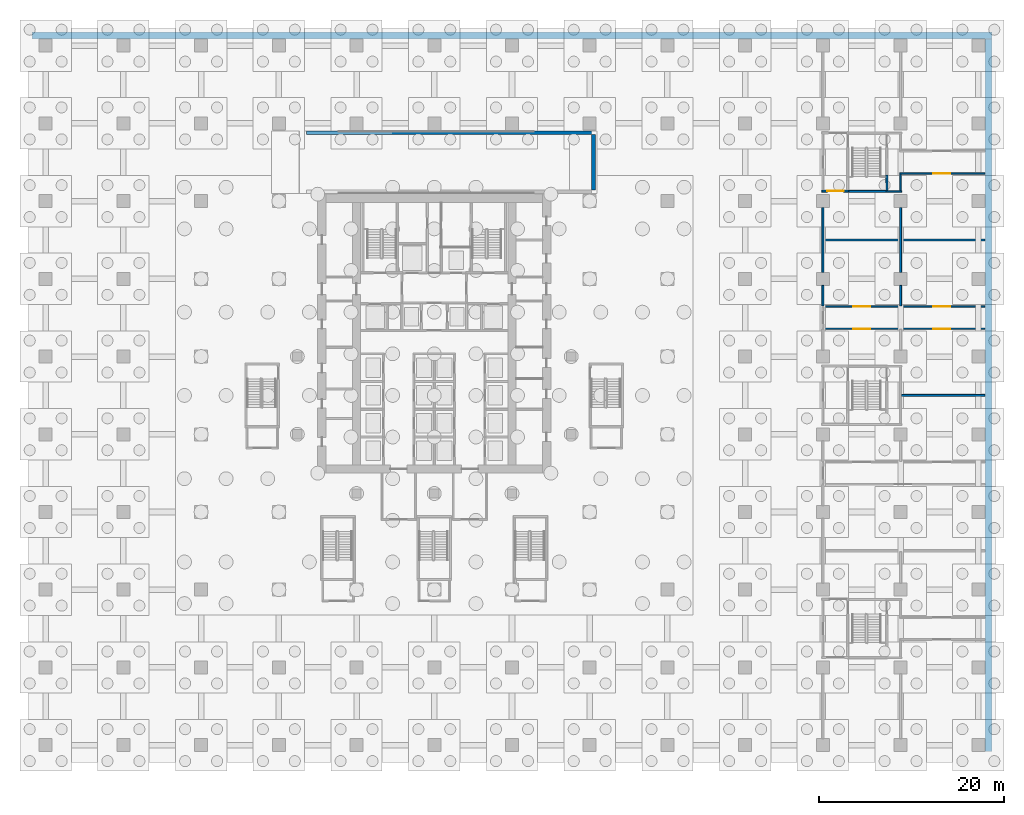
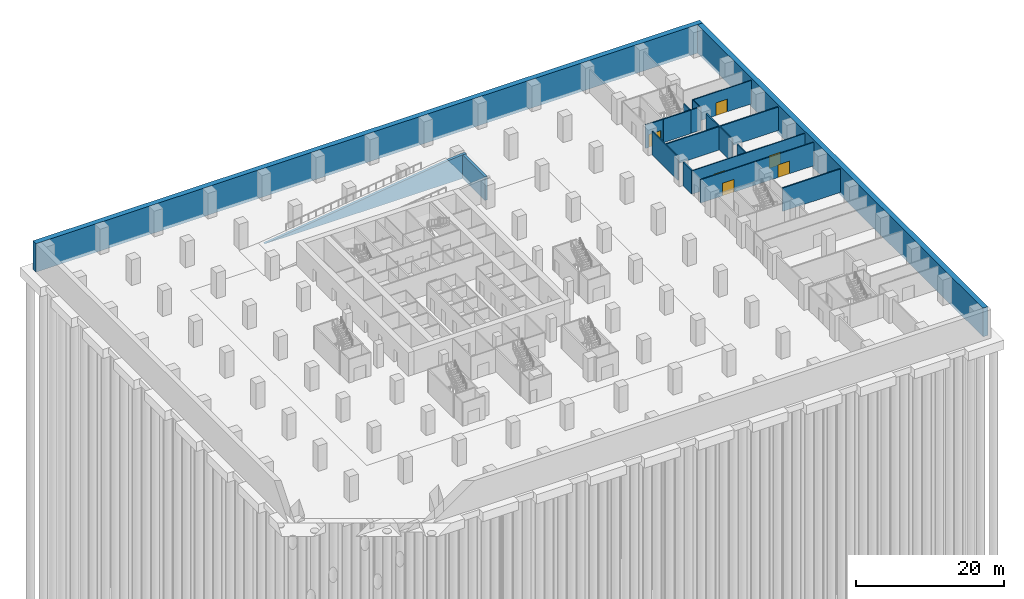
# One storey, part 14 of 22: 18 walls, 6 doors, 6 openings.
"""IFC4 building model written with IfcOpenShell, lengths in metres."""

from ifc_helpers import new_model, si_unit, direction, frame, frame_2d, origin, place, context, subcontext, project, spatial, polyline, rectangle, outline, extrude, material, layer, layer_set, type_object, element, fill, save


model = new_model("IFC4")

# Units and contexts
model_context = context("Model", 3, precision=1e-05, world=origin(), true_north=direction((0.0, 1.0)))
body_context = subcontext(model_context, "Body", "Model", "MODEL_VIEW")
ifc_project = project(units=[si_unit("LENGTHUNIT", "METRE"), si_unit("AREAUNIT", "SQUARE_METRE"), si_unit("VOLUMEUNIT", "CUBIC_METRE"), si_unit("PLANEANGLEUNIT", "RADIAN"), si_unit("MASSUNIT", "GRAM", prefix="KILO")], contexts=[model_context])

# Site, building, storey
site_placement = place(None, origin())
site = spatial("IfcSite", under=ifc_project, at=site_placement, CompositionType="ELEMENT")
building_placement = place(site_placement, origin())
building = spatial("IfcBuilding", under=site, at=building_placement, Name="Vermilion Ogive Tower", CompositionType="ELEMENT")
storey_placement = place(building_placement, frame((0.0, 0.0, -8.39990234375)))
storey = spatial("IfcBuildingStorey", under=building, at=storey_placement, Name="B2", CompositionType="ELEMENT", Elevation=-8.39990234375)

# Walls
ifc_material_1 = material(Name="Concrete B45", Category="concrete")
ifc_layer_1 = layer(ifc_material_1, 0.800048828125)
ifc_layer_set_1 = layer_set([ifc_layer_1], Name="Basement wall RW800")
wall_type_1 = type_object("IfcWallType", Name="Basement wall RW800", PredefinedType="SOLIDWALL", material=ifc_layer_set_1)
wall_1_placement = place(storey_placement, frame((-43.5, 38.89990234375, -0.5), z_axis=(0.0, 0.0, 1.0), x_axis=(1.0, 0.0, 0.0)))
element("IfcWall", 1, at=wall_1_placement, inside=storey, type_object=wall_type_1, Name="Retaining wall B2 N", PredefinedType="SOLIDWALL", context=body_context, shape_type="SweptSolid", body=[
    extrude(rectangle(XDim=103.800048828125, YDim=0.800048828125, at=frame_2d((51.89990234375, 0.0))), origin(), (0.0, 0.0, 1.0), 4.699951171875),
])
wall_2_placement = place(storey_placement, frame((59.89990234375, -38.5, -0.5), z_axis=(0.0, 0.0, 1.0), x_axis=(0.0, 1.0, 0.0)))
element("IfcWall", 2, at=wall_2_placement, inside=storey, type_object=wall_type_1, Name="Retaining wall B2 E", PredefinedType="SOLIDWALL", context=body_context, shape_type="SweptSolid", body=[
    extrude(rectangle(XDim=77.0, YDim=0.800048828125, at=frame_2d((38.5, 0.0))), origin(), (0.0, 0.0, 1.0), 4.699951171875),
])
ifc_material_2 = material(Name="Concrete B45", Category="concrete")
ifc_layer_2 = layer(ifc_material_2, 0.39990234375)
ifc_layer_set_2 = layer_set([ifc_layer_2], Name="Car park ramp wall 400 Concrete B45")
wall_type_2 = type_object("IfcWallType", Name="Car park ramp wall 400 Concrete B45", PredefinedType="SOLIDWALL", material=ifc_layer_set_2)
wall_3_placement = place(storey_placement, frame((-17.60009765625, 28.39990234375, 0.0), z_axis=(0.0, 0.0, 1.0), x_axis=(1.0, 0.0, 0.0)))
element("IfcWall", 3, at=wall_3_placement, inside=storey, type_object=wall_type_2, Name="Car park ramp RB basement 2 to 1 wall L", PredefinedType="SOLIDWALL", context=body_context, shape_type="SweptSolid", body=[
    extrude(outline(polyline([(0.0, 0.0), (35.2001953125, 0.0), (35.199951171875, 3.89990234375), (34.60009765625, 3.89892578125), (32.199951171875, 3.70166015625), (3.0, -0.10498046875), (0.0, -0.30078125), (0.0, 0.0)])), frame((0.0, 0.199951171875, 0.0), z_axis=(0.0, -1.0, 0.0), x_axis=(1.0, 0.0, 0.0)), (0.0, 0.0, 1.0), 0.39990234375),
])
wall_4_placement = place(storey_placement, frame((17.199951171875, 22.199951171875, 0.0), z_axis=(0.0, 0.0, 1.0), x_axis=(0.0, 1.0, 0.0)))
element("IfcWall", 4, at=wall_4_placement, inside=storey, type_object=wall_type_2, Name="Car park ramp RB basement 2 to 1 head wall", PredefinedType="SOLIDWALL", context=body_context, shape_type="SweptSolid", body=[
    extrude(rectangle(XDim=6.0, YDim=0.39990234375, at=frame_2d((3.0, 0.0))), origin(), (0.0, 0.0, 1.0), 3.89990234375),
])

# Wall, openings, doors
ifc_material_3 = material(Name="Gypsum board partition on steel studs", Category="steel")
ifc_layer_3 = layer(ifc_material_3, 0.14990234375)
ifc_layer_set_3 = layer_set([ifc_layer_3], Name="Partition 150 corridor")
wall_type_3 = type_object("IfcWallType", Name="Partition 150 corridor", PredefinedType="PARTITIONING", material=ifc_layer_set_3)
wall_5_placement = place(storey_placement, frame((41.89990234375, 7.199951171875, 0.0), z_axis=(0.0, 0.0, 1.0), x_axis=(1.0, 0.0, 0.0)))
wall_5 = element("IfcWall", 5, at=wall_5_placement, inside=storey, type_object=wall_type_3, Name="B2-PK-W-W026", PredefinedType="PARTITIONING", context=body_context, shape_type="SweptSolid", body=[
    extrude(rectangle(XDim=17.59912109375, YDim=0.14990234375, at=frame_2d((8.799560546875, 0.0))), origin(), (0.0, 0.0, 1.0), 3.849853515625),
])
opening_1_placement = place(wall_5_placement, frame((12.050048828125, 0.0, 0.0)))
opening_1 = element("IfcOpeningElement", 6, at=opening_1_placement, cuts=wall_5, Name="Opening PK2-23", PredefinedType="OPENING", context=body_context, shape_type="SweptSolid", body=[
    extrude(rectangle(XDim=1.800048828125, YDim=2.10009765625, at=frame_2d((0.89990234375, 1.050048828125))), frame((0.0, 0.0849609375, 0.0), z_axis=(0.0, -1.0, 0.0), x_axis=(1.0, 0.0, 0.0)), (0.0, 0.0, 1.0), 0.169921875),
])
opening_2_placement = place(wall_5_placement, frame((3.400146484375, 0.0, 0.0)))
opening_2 = element("IfcOpeningElement", 7, at=opening_2_placement, cuts=wall_5, Name="Opening PK2-24", PredefinedType="OPENING", context=body_context, shape_type="SweptSolid", body=[
    extrude(rectangle(XDim=1.800048828125, YDim=2.10009765625, at=frame_2d((0.89990234375, 1.050048828125))), frame((0.0, 0.0849609375, 0.0), z_axis=(0.0, -1.0, 0.0), x_axis=(1.0, 0.0, 0.0)), (0.0, 0.0, 1.0), 0.169921875),
])
ifc_material_4 = material(Name="Timber door leaf", Category="wood")
door_type = type_object("IfcDoorType", Name="Plant door 1800 x 2100 FD30", OperationType="DOUBLE_DOOR_SINGLE_SWING", PredefinedType="DOOR", material=ifc_material_4)
door_1_placement = place(opening_1_placement, origin())
door_1 = element("IfcDoor", 8, at=door_1_placement, inside=storey, type_object=door_type, Name="B2-PK-D-D023", OperationType="DOUBLE_DOOR_SINGLE_SWING", OverallHeight=2.10009765625, OverallWidth=1.800048828125, PredefinedType="DOOR", context=body_context, shape_type="SweptSolid", body=[
    extrude(rectangle(XDim=1.800048828125, YDim=2.10009765625, at=frame_2d((0.89990234375, 1.050048828125))), frame((0.0, 0.02490234375, 0.0), z_axis=(0.0, -1.0, 0.0), x_axis=(1.0, 0.0, 0.0)), (0.0, 0.0, 1.0), 0.050048828125),
])
fill(opening_1, door_1)
door_2_placement = place(opening_2_placement, origin())
door_2 = element("IfcDoor", 9, at=door_2_placement, inside=storey, type_object=door_type, Name="B2-PK-D-D024", OperationType="DOUBLE_DOOR_SINGLE_SWING", OverallHeight=2.10009765625, OverallWidth=1.800048828125, PredefinedType="DOOR", context=body_context, shape_type="SweptSolid", body=[
    extrude(rectangle(XDim=1.800048828125, YDim=2.10009765625, at=frame_2d((0.89990234375, 1.050048828125))), frame((0.0, 0.02490234375, 0.0), z_axis=(0.0, -1.0, 0.0), x_axis=(1.0, 0.0, 0.0)), (0.0, 0.0, 1.0), 0.050048828125),
])
fill(opening_2, door_2)

wall_6_placement = place(storey_placement, frame((41.89990234375, 9.60009765625, 0.0), z_axis=(0.0, 0.0, 1.0), x_axis=(1.0, 0.0, 0.0)))
wall_6 = element("IfcWall", 10, at=wall_6_placement, inside=storey, type_object=wall_type_3, Name="B2-PK-W-W027", PredefinedType="PARTITIONING", context=body_context, shape_type="SweptSolid", body=[
    extrude(rectangle(XDim=17.59912109375, YDim=0.14990234375, at=frame_2d((8.799560546875, 0.0))), origin(), (0.0, 0.0, 1.0), 3.849853515625),
])
opening_3_placement = place(wall_6_placement, frame((3.400146484375, 0.0, 0.0)))
opening_3 = element("IfcOpeningElement", 11, at=opening_3_placement, cuts=wall_6, Name="Opening PK2-25", PredefinedType="OPENING", context=body_context, shape_type="SweptSolid", body=[
    extrude(rectangle(XDim=1.800048828125, YDim=2.10009765625, at=frame_2d((0.89990234375, 1.050048828125))), frame((0.0, 0.0849609375, 0.0), z_axis=(0.0, -1.0, 0.0), x_axis=(1.0, 0.0, 0.0)), (0.0, 0.0, 1.0), 0.169921875),
])
opening_4_placement = place(wall_6_placement, frame((12.050048828125, 0.0, 0.0)))
opening_4 = element("IfcOpeningElement", 12, at=opening_4_placement, cuts=wall_6, Name="Opening PK2-26", PredefinedType="OPENING", context=body_context, shape_type="SweptSolid", body=[
    extrude(rectangle(XDim=1.800048828125, YDim=2.10009765625, at=frame_2d((0.89990234375, 1.050048828125))), frame((0.0, 0.0849609375, 0.0), z_axis=(0.0, -1.0, 0.0), x_axis=(1.0, 0.0, 0.0)), (0.0, 0.0, 1.0), 0.169921875),
])
door_3_placement = place(opening_3_placement, origin())
door_3 = element("IfcDoor", 13, at=door_3_placement, inside=storey, type_object=door_type, Name="B2-PK-D-D025", OperationType="DOUBLE_DOOR_SINGLE_SWING", OverallHeight=2.10009765625, OverallWidth=1.800048828125, PredefinedType="DOOR", context=body_context, shape_type="SweptSolid", body=[
    extrude(rectangle(XDim=1.800048828125, YDim=2.10009765625, at=frame_2d((0.89990234375, 1.050048828125))), frame((0.0, 0.02490234375, 0.0), z_axis=(0.0, -1.0, 0.0), x_axis=(1.0, 0.0, 0.0)), (0.0, 0.0, 1.0), 0.050048828125),
])
fill(opening_3, door_3)
door_4_placement = place(opening_4_placement, origin())
door_4 = element("IfcDoor", 14, at=door_4_placement, inside=storey, type_object=door_type, Name="B2-PK-D-D026", OperationType="DOUBLE_DOOR_SINGLE_SWING", OverallHeight=2.10009765625, OverallWidth=1.800048828125, PredefinedType="DOOR", context=body_context, shape_type="SweptSolid", body=[
    extrude(rectangle(XDim=1.800048828125, YDim=2.10009765625, at=frame_2d((0.89990234375, 1.050048828125))), frame((0.0, 0.02490234375, 0.0), z_axis=(0.0, -1.0, 0.0), x_axis=(1.0, 0.0, 0.0)), (0.0, 0.0, 1.0), 0.050048828125),
])
fill(opening_4, door_4)

# Wall
wall_7_placement = place(storey_placement, frame((48.824951171875, 22.050048828125, 0.0), z_axis=(0.0, 0.0, 1.0), x_axis=(1.0, 0.0, 0.0)))
element("IfcWall", 15, at=wall_7_placement, inside=storey, type_object=wall_type_3, Name="B2-PK-W-W031", PredefinedType="PARTITIONING", context=body_context, shape_type="SweptSolid", body=[
    extrude(rectangle(XDim=1.675048828125, YDim=0.14990234375, at=frame_2d((0.83740234375, 0.0))), origin(), (0.0, 0.0, 1.0), 3.849853515625),
])

# Wall, opening, door
wall_8_placement = place(storey_placement, frame((50.324951171875, 24.0, 0.0), z_axis=(0.0, 0.0, 1.0), x_axis=(1.0, 0.0, 0.0)))
wall_8 = element("IfcWall", 16, at=wall_8_placement, inside=storey, type_object=wall_type_3, Name="B2-PK-W-W032", PredefinedType="PARTITIONING", context=body_context, shape_type="SweptSolid", body=[
    extrude(rectangle(XDim=9.174072265625, YDim=0.14990234375, at=frame_2d((4.5869140625, 0.0))), origin(), (0.0, 0.0, 1.0), 3.849853515625),
])
opening_5_placement = place(wall_8_placement, frame((3.625, 0.0, 0.0)))
opening_5 = element("IfcOpeningElement", 17, at=opening_5_placement, cuts=wall_8, Name="Opening PK2-28", PredefinedType="OPENING", context=body_context, shape_type="SweptSolid", body=[
    extrude(rectangle(XDim=1.800048828125, YDim=2.10009765625, at=frame_2d((0.89990234375, 1.050048828125))), frame((0.0, 0.0849609375, 0.0), z_axis=(0.0, -1.0, 0.0), x_axis=(1.0, 0.0, 0.0)), (0.0, 0.0, 1.0), 0.169921875),
])
door_5_placement = place(opening_5_placement, origin())
door_5 = element("IfcDoor", 18, at=door_5_placement, inside=storey, type_object=door_type, Name="B2-PK-D-D028", OperationType="DOUBLE_DOOR_SINGLE_SWING", OverallHeight=2.10009765625, OverallWidth=1.800048828125, PredefinedType="DOOR", context=body_context, shape_type="SweptSolid", body=[
    extrude(rectangle(XDim=1.800048828125, YDim=2.10009765625, at=frame_2d((0.89990234375, 1.050048828125))), frame((0.0, 0.02490234375, 0.0), z_axis=(0.0, -1.0, 0.0), x_axis=(1.0, 0.0, 0.0)), (0.0, 0.0, 1.0), 0.050048828125),
])
fill(opening_5, door_5)

# Walls
wall_9_placement = place(storey_placement, frame((50.39990234375, 22.125, 0.0), z_axis=(0.0, 0.0, 1.0), x_axis=(0.0, 1.0, 0.0)))
element("IfcWall", 19, at=wall_9_placement, inside=storey, type_object=wall_type_3, Name="B2-PK-W-W076", PredefinedType="PARTITIONING", context=body_context, shape_type="SweptSolid", body=[
    extrude(rectangle(XDim=1.800048828125, YDim=0.14990234375, at=frame_2d((0.89990234375, 0.0))), origin(), (0.0, 0.0, 1.0), 3.849853515625),
])
ifc_material_5 = material(Name="Gypsum board partition on steel studs", Category="steel")
ifc_layer_4 = layer(ifc_material_5, 0.199951171875)
ifc_layer_set_4 = layer_set([ifc_layer_4], Name="Partition 200 party")
wall_type_4 = type_object("IfcWallType", Name="Partition 200 party", PredefinedType="PARTITIONING", material=ifc_layer_set_4)
wall_10_placement = place(storey_placement, frame((50.47509765625, 0.0, 0.0), z_axis=(0.0, 0.0, 1.0), x_axis=(1.0, 0.0, 0.0)))
element("IfcWall", 20, at=wall_10_placement, inside=storey, type_object=wall_type_4, Name="B2-PK-W-W022", PredefinedType="PARTITIONING", context=body_context, shape_type="SweptSolid", body=[
    extrude(rectangle(XDim=9.02392578125, YDim=0.199951171875, at=frame_2d((4.511962890625, 0.0))), origin(), (0.0, 0.0, 1.0), 3.849853515625),
])
wall_11_placement = place(storey_placement, frame((42.10009765625, 16.800048828125, 0.0), z_axis=(0.0, 0.0, 1.0), x_axis=(1.0, 0.0, 0.0)))
element("IfcWall", 21, at=wall_11_placement, inside=storey, type_object=wall_type_4, Name="B2-PK-W-W028", PredefinedType="PARTITIONING", context=body_context, shape_type="SweptSolid", body=[
    extrude(rectangle(XDim=17.39892578125, YDim=0.199951171875, at=frame_2d((8.699462890625, 0.0))), origin(), (0.0, 0.0, 1.0), 3.849853515625),
])
wall_12_placement = place(storey_placement, frame((42.0, 9.675048828125, 0.0), z_axis=(0.0, 0.0, 1.0), x_axis=(0.0, 1.0, 0.0)))
element("IfcWall", 22, at=wall_12_placement, inside=storey, type_object=wall_type_4, Name="B2-PK-W-W059a", PredefinedType="PARTITIONING", context=body_context, shape_type="SweptSolid", body=[
    extrude(rectangle(XDim=2.224853515625, YDim=0.199951171875, at=frame_2d((1.1123046875, 0.0))), origin(), (0.0, 0.0, 1.0), 3.849853515625),
])
wall_13_placement = place(storey_placement, frame((42.0, 13.300048828125, 0.0), z_axis=(0.0, 0.0, 1.0), x_axis=(0.0, 1.0, 0.0)))
element("IfcWall", 23, at=wall_13_placement, inside=storey, type_object=wall_type_4, Name="B2-PK-W-W059b", PredefinedType="PARTITIONING", context=body_context, shape_type="SweptSolid", body=[
    extrude(rectangle(XDim=7.0, YDim=0.199951171875, at=frame_2d((3.5, 0.0))), origin(), (0.0, 0.0, 1.0), 3.849853515625),
])
wall_14_placement = place(storey_placement, frame((50.39990234375, 9.675048828125, 0.0), z_axis=(0.0, 0.0, 1.0), x_axis=(0.0, 1.0, 0.0)))
element("IfcWall", 24, at=wall_14_placement, inside=storey, type_object=wall_type_4, Name="B2-PK-W-W075a", PredefinedType="PARTITIONING", context=body_context, shape_type="SweptSolid", body=[
    extrude(rectangle(XDim=2.224853515625, YDim=0.199951171875, at=frame_2d((1.1123046875, 0.0))), origin(), (0.0, 0.0, 1.0), 3.849853515625),
])
wall_15_placement = place(storey_placement, frame((50.39990234375, 13.300048828125, 0.0), z_axis=(0.0, 0.0, 1.0), x_axis=(0.0, 1.0, 0.0)))
element("IfcWall", 25, at=wall_15_placement, inside=storey, type_object=wall_type_4, Name="B2-PK-W-W075b", PredefinedType="PARTITIONING", context=body_context, shape_type="SweptSolid", body=[
    extrude(rectangle(XDim=7.0, YDim=0.199951171875, at=frame_2d((3.5, 0.0))), origin(), (0.0, 0.0, 1.0), 3.849853515625),
])

# Wall, opening, door
ifc_material_6 = material(Name="Concrete B60", Category="concrete")
ifc_layer_5 = layer(ifc_material_6, 0.199951171875)
ifc_layer_set_5 = layer_set([ifc_layer_5], Name="Stair shaft wall 200 Concrete B60")
wall_type_5 = type_object("IfcWallType", Name="Stair shaft wall 200 Concrete B60", PredefinedType="SOLIDWALL", material=ifc_layer_set_5)
wall_16_placement = place(storey_placement, frame((41.89990234375, 22.074951171875, 0.0), z_axis=(0.0, 0.0, 1.0), x_axis=(1.0, 0.0, 0.0)))
wall_16 = element("IfcWall", 26, at=wall_16_placement, inside=storey, type_object=wall_type_5, Name="B2-PK-W-W029", PredefinedType="SOLIDWALL", context=body_context, shape_type="SweptSolid", body=[
    extrude(rectangle(XDim=2.875, YDim=0.199951171875, at=frame_2d((1.4375, 0.0))), origin(), (0.0, 0.0, 1.0), 3.849853515625),
])
opening_6_placement = place(wall_16_placement, frame((0.550048828125, 0.0, 0.0)))
opening_6 = element("IfcOpeningElement", 27, at=opening_6_placement, cuts=wall_16, Name="Opening PK2-27", PredefinedType="OPENING", context=body_context, shape_type="SweptSolid", body=[
    extrude(rectangle(XDim=1.800048828125, YDim=2.10009765625, at=frame_2d((0.89990234375, 1.050048828125))), frame((0.0, 0.10986328125, 0.0), z_axis=(0.0, -1.0, 0.0), x_axis=(1.0, 0.0, 0.0)), (0.0, 0.0, 1.0), 0.219970703125),
])
door_6_placement = place(opening_6_placement, origin())
door_6 = element("IfcDoor", 28, at=door_6_placement, inside=storey, type_object=door_type, Name="B2-PK-D-D027", OperationType="DOUBLE_DOOR_SINGLE_SWING", OverallHeight=2.10009765625, OverallWidth=1.800048828125, PredefinedType="DOOR", context=body_context, shape_type="SweptSolid", body=[
    extrude(rectangle(XDim=1.800048828125, YDim=2.10009765625, at=frame_2d((0.89990234375, 1.050048828125))), frame((0.0, 0.02490234375, 0.0), z_axis=(0.0, -1.0, 0.0), x_axis=(1.0, 0.0, 0.0)), (0.0, 0.0, 1.0), 0.050048828125),
])
fill(opening_6, door_6)

# Walls
wall_17_placement = place(storey_placement, frame((44.625, 22.050048828125, 0.0), z_axis=(0.0, 0.0, 1.0), x_axis=(1.0, 0.0, 0.0)))
element("IfcWall", 29, at=wall_17_placement, inside=storey, type_object=wall_type_5, Name="B2-PK-W-W030", PredefinedType="SOLIDWALL", context=body_context, shape_type="SweptSolid", body=[
    extrude(rectangle(XDim=4.35009765625, YDim=0.199951171875, at=frame_2d((2.175048828125, 0.0))), origin(), (0.0, 0.0, 1.0), 3.849853515625),
])
wall_18_placement = place(storey_placement, frame((48.9248046875, 22.14990234375, 0.0), z_axis=(0.0, 0.0, 1.0), x_axis=(-0.003995232985, 0.999992019025, 0.0)))
element("IfcWall", 30, at=wall_18_placement, inside=storey, type_object=wall_type_5, Name="B2-PK-W-W067-A", PredefinedType="SOLIDWALL", context=body_context, shape_type="SweptSolid", body=[
    extrude(rectangle(XDim=1.64990234375, YDim=0.199951171875, at=frame_2d((0.824951171875, 0.0))), origin(), (0.0, 0.0, 1.0), 3.849853515625),
])

save(model, "model.ifc")
